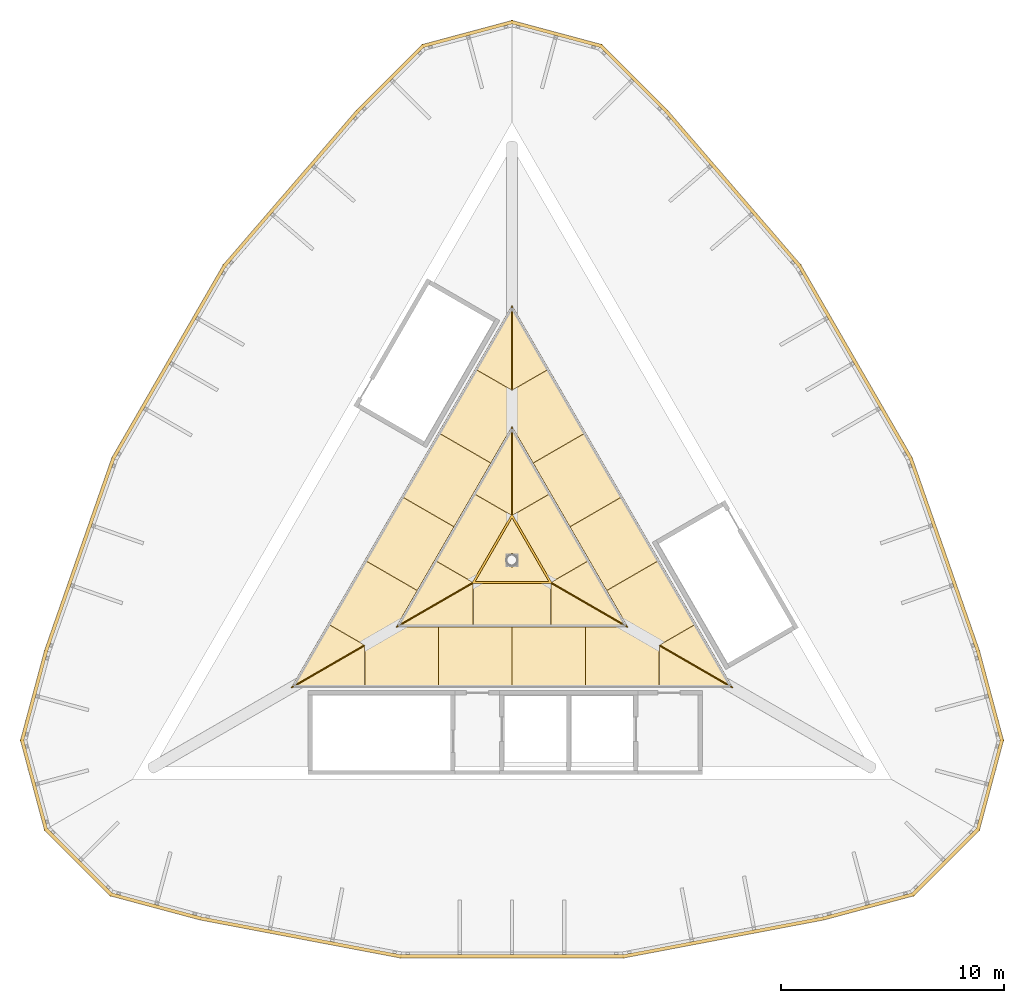
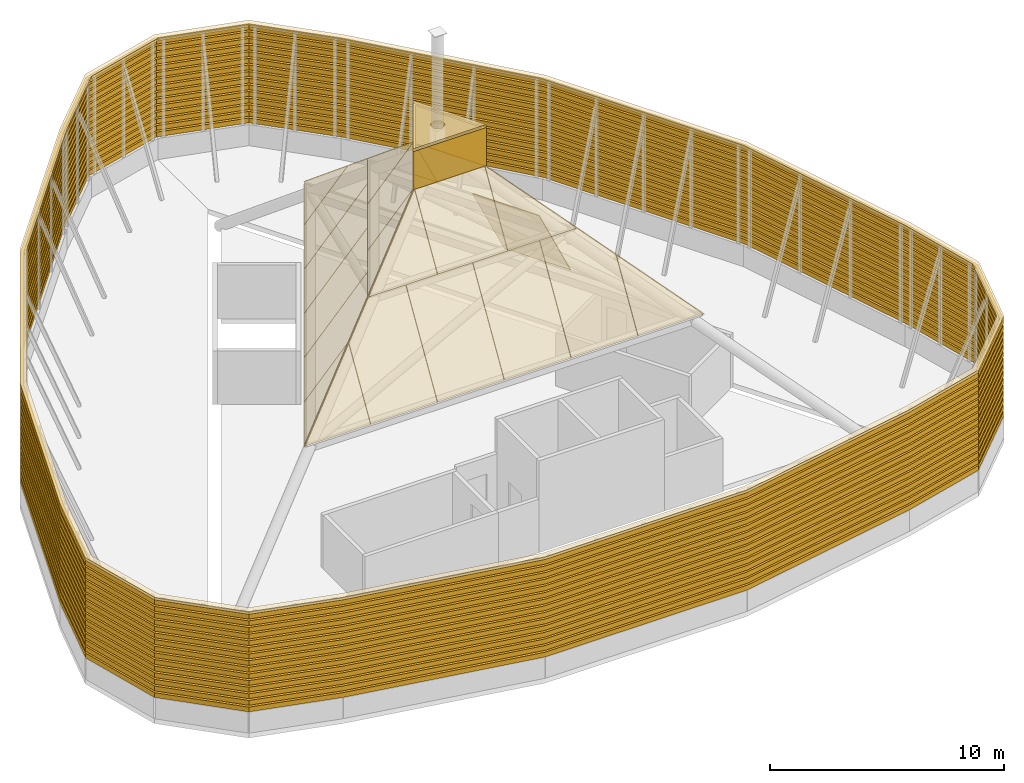
# One storey, part 6 of 6: 45 coverings.
"""IFC4 building model written with IfcOpenShell, lengths in metres."""

from ifc_helpers import new_model, si_unit, direction, frame, origin, place, context, subcontext, project, spatial, polyline, outline, extrude, material, layer, layer_set, type_object, element, save


model = new_model("IFC4")

# Units and contexts
model_context = context("Model", 3, precision=1e-05, world=origin(), true_north=direction((0.0, 1.0)))
body_context = subcontext(model_context, "Body", "Model", "MODEL_VIEW")
ifc_project = project(units=[si_unit("LENGTHUNIT", "METRE"), si_unit("AREAUNIT", "SQUARE_METRE"), si_unit("VOLUMEUNIT", "CUBIC_METRE"), si_unit("PLANEANGLEUNIT", "RADIAN"), si_unit("MASSUNIT", "GRAM", prefix="KILO")], contexts=[model_context])

# Site, building, storey
site_placement = place(None, origin())
site = spatial("IfcSite", under=ifc_project, at=site_placement, CompositionType="ELEMENT")
building_placement = place(site_placement, origin())
building = spatial("IfcBuilding", under=site, at=building_placement, Name="Trikona Tower", CompositionType="ELEMENT")
storey_placement = place(building_placement, frame((0.0, 0.0, 303.800048828125)))
storey = spatial("IfcBuildingStorey", under=building, at=storey_placement, Name="RF", CompositionType="ELEMENT", Elevation=303.800048828125)

# Coverings
ifc_material_1 = material(Name="Aluminium plate on a fabricated steel frame, pale anodised", Category="steel")
covering_type_1 = type_object("IfcCoveringType", Name="Crown cap collar 2000", PredefinedType="CLADDING", material=ifc_material_1)
covering_1_placement = place(storey_placement, frame((0.0, 0.0, 14.199951171875)))
element("IfcCovering", 1, at=covering_1_placement, inside=storey, type_object=covering_type_1, Name="Crown cap collar", PredefinedType="CLADDING", context=body_context, shape_type="SweptSolid", body=[
    extrude(outline(polyline([(1.812255859375, -1.04638671875), (0.0, 2.092529296875), (-1.812255859375, -1.04638671875), (1.812255859375, -1.04638671875)]), holes=[polyline([(1.6455078125, -0.949951171875), (0.0, 1.89990234375), (-1.6455078125, -0.949951171875), (1.6455078125, -0.949951171875)])]), origin(), (0.0, 0.0, 1.0), 2.0),
])
ifc_material_2 = material(Name="Aluminium plate cladding panel, pale anodised", Category="aluminium")
ifc_layer_1 = layer(ifc_material_2, 0.0400390625)
ifc_layer_set_1 = layer_set([ifc_layer_1], Name="Crown cap panel 40")
covering_type_2 = type_object("IfcCoveringType", Name="Crown cap panel 40", PredefinedType="CLADDING", material=ifc_layer_set_1)
covering_2_placement = place(storey_placement, frame((9.91015625, -5.7216796875, 6.454833984375), z_axis=(0.741426427318, 0.428026281218, 0.516798176719), x_axis=(-0.499968053156, 0.866043847518, 0.0)))
element("IfcCovering", 2, at=covering_2_placement, inside=storey, type_object=covering_type_2, Name="Crown cap panel 1A-1", PredefinedType="CLADDING", context=body_context, shape_type="SweptSolid", body=[
    extrude(outline(polyline([(0.0, 0.0), (3.2985506003111134, 1.1102230246251565e-16), (3.2982691427682354, 3.685034919368033), (0.0, 0.0)])), origin(), (0.0, 0.0, -1.0), 0.0400390625),
])
covering_3_placement = place(storey_placement, frame((8.255859375, -2.8564453125, 6.454833984375), z_axis=(0.741415320816, 0.428075214626, 0.516773579706), x_axis=(-0.500017974736, 0.866015025813, 2.746093e-06)))
element("IfcCovering", 3, at=covering_3_placement, inside=storey, type_object=covering_type_2, Name="Crown cap panel 1A-2", PredefinedType="CLADDING", context=body_context, shape_type="SweptSolid", body=[
    extrude(outline(polyline([(0.0, 0.0), (3.293312688266176, -1.1102230246251565e-16), (3.293332760039564, 5.2562224543319465), (1.3966972845653314, 5.256292339385443), (-4.721924386073969e-05, 3.696065635864368), (0.0, 0.0)])), origin(), (0.0, 0.0, -1.0), 0.0400390625),
])
covering_4_placement = place(storey_placement, frame((6.604248046875, 0.00439453125, 6.454833984375), z_axis=(0.741405965936, 0.428057628096, 0.516801568016), x_axis=(-0.500010151145, 0.8660195429, 8.199798e-06)))
element("IfcCovering", 4, at=covering_4_placement, inside=storey, type_object=covering_type_2, Name="Crown cap panel 1A-3", PredefinedType="CLADDING", context=body_context, shape_type="SweptSolid", body=[
    extrude(outline(polyline([(0.0, 0.0), (3.2933126878981387, -1.1102230246251565e-16), (3.2934548358369526, 5.256331716299112), (-6.928261365141282e-05, 5.256394805193037), (0.0, 0.0)])), origin(), (0.0, 0.0, -1.0), 0.0400390625),
])
covering_5_placement = place(storey_placement, frame((4.952392578125, 2.864990234375, 6.454833984375), z_axis=(0.741439793665, 0.428027106768, 0.516778316342), x_axis=(-0.499954591782, 0.866051618528, -1.4201868e-05)))
element("IfcCovering", 5, at=covering_5_placement, inside=storey, type_object=covering_type_2, Name="Crown cap panel 1A-4", PredefinedType="CLADDING", context=body_context, shape_type="SweptSolid", body=[
    extrude(outline(polyline([(0.0, 0.0), (3.29340205718667, 1.1102230246251565e-16), (3.2932691284046345, 5.256331716020849), (-0.00025498800854502313, 5.256222447764971), (0.0, 0.0)])), origin(), (0.0, 0.0, -1.0), 0.0400390625),
])
covering_6_placement = place(storey_placement, frame((3.30078125, 5.725830078125, 6.454833984375), z_axis=(0.741434550992, 0.428032868026, 0.516781066299), x_axis=(-0.499960234523, 0.866048360986, -1.8134961e-05)))
element("IfcCovering", 6, at=covering_6_placement, inside=storey, type_object=covering_type_2, Name="Crown cap panel 1A-5", PredefinedType="CLADDING", context=body_context, shape_type="SweptSolid", body=[
    extrude(outline(polyline([(0.0, 0.0), (3.2934020564024724, 0.0), (3.293283480651795, 3.696174896637079), (1.8967139882974844, 5.2562980087701305), (-0.00025498928986629466, 5.2562224474470955), (0.0, 0.0)])), origin(), (0.0, 0.0, -1.0), 0.0400390625),
])
covering_7_placement = place(storey_placement, frame((1.649169921875, 8.586669921875, 6.454833984375), z_axis=(0.741423278233, 0.428061046535, 0.516773899238), x_axis=(-0.500000102728, 0.866025344474, 0.0)))
element("IfcCovering", 7, at=covering_7_placement, inside=storey, type_object=covering_type_2, Name="Crown cap panel 1A-6", PredefinedType="CLADDING", context=body_context, shape_type="SweptSolid", body=[
    extrude(outline(polyline([(0.0, 0.0), (3.2983391660835024, 1.1102230246251565e-16), (4.5177771103964087e-07, 3.6849718398308036), (0.0, 0.0)])), origin(), (0.0, 0.0, -1.0), 0.0400390625),
])
covering_8_placement = place(storey_placement, frame((5.205078125, -3.005126953125, 10.954833984375), z_axis=(0.74141142171, 0.428053266826, 0.516797353435), x_axis=(-0.499996480963, 0.866027435475, -5.362093e-06)))
element("IfcCovering", 8, at=covering_8_placement, inside=storey, type_object=covering_type_2, Name="Crown cap panel 1B-1", PredefinedType="CLADDING", context=body_context, shape_type="SweptSolid", body=[
    extrude(outline(polyline([(0.0, 0.0), (3.4649214449072097, 0.0), (3.464897568477164, 3.7905692730016796), (3.392704574662664, 3.790547118854834), (0.0, 0.0)])), origin(), (0.0, 0.0, -1.0), 0.0400390625),
])
covering_9_placement = place(storey_placement, frame((3.467529296875, 0.00439453125, 10.954833984375), z_axis=(0.741414820356, 0.428062255536, 0.516785032234), x_axis=(-0.499998373289, 0.866026342859, -1.3517357e-05)))
element("IfcCovering", 9, at=covering_9_placement, inside=storey, type_object=covering_type_2, Name="Crown cap panel 1B-2", PredefinedType="CLADDING", context=body_context, shape_type="SweptSolid", body=[
    extrude(outline(polyline([(0.0, 0.0), (3.4601063977970012, 0.0), (3.4600603371818934, 3.7905692718870516), (-0.00016813053046176734, 3.790460005471578), (0.0, 0.0)])), origin(), (0.0, 0.0, -1.0), 0.0400390625),
])
covering_10_placement = place(storey_placement, frame((1.732666015625, 3.009521484375, 10.954833984375), z_axis=(0.741392303028, 0.428067200784, 0.516813239598), x_axis=(-0.500018479961, 0.866014734096, -5.12883e-06)))
element("IfcCovering", 10, at=covering_10_placement, inside=storey, type_object=covering_type_2, Name="Crown cap panel 1B-3", PredefinedType="CLADDING", context=body_context, shape_type="SweptSolid", body=[
    extrude(outline(polyline([(0.0, 0.0), (3.4652549472143495, -1.1102230246251565e-16), (0.07221963833278307, 3.790590465624695), (2.6643468823597544e-05, 3.7905692729977303), (0.0, 0.0)])), origin(), (0.0, 0.0, -1.0), 0.0400390625),
])
covering_11_placement = place(storey_placement, frame((0.0, 11.443115234375, 6.454833984375), z_axis=(-0.741423278233, 0.428061046535, 0.516773899238), x_axis=(-0.500000102728, -0.866025344474, 0.0)))
element("IfcCovering", 11, at=covering_11_placement, inside=storey, type_object=covering_type_2, Name="Crown cap panel 2A-1", PredefinedType="CLADDING", context=body_context, shape_type="SweptSolid", body=[
    extrude(outline(polyline([(0.0, 0.0), (3.2983391660835024, -1.1102230246251565e-16), (3.2983387143057916, 3.6849718398308036), (0.0, 0.0)])), origin(), (0.0, 0.0, -1.0), 0.0400390625),
])
covering_12_placement = place(storey_placement, frame((-1.654296875, 8.578125, 6.454833984375), z_axis=(-0.741434550992, 0.428032868026, 0.516781066299), x_axis=(-0.499960234523, -0.866048360986, 1.8134961e-05)))
element("IfcCovering", 12, at=covering_12_placement, inside=storey, type_object=covering_type_2, Name="Crown cap panel 2A-2", PredefinedType="CLADDING", context=body_context, shape_type="SweptSolid", body=[
    extrude(outline(polyline([(0.0, 0.0), (3.2934020564024724, 0.0), (3.2936570456923393, 5.2562224474470955), (1.396688068104988, 5.2562980087701305), (0.00011857575067755618, 3.696174896637079), (0.0, 0.0)])), origin(), (0.0, 0.0, -1.0), 0.0400390625),
])
covering_13_placement = place(storey_placement, frame((-3.305908203125, 5.71728515625, 6.454833984375), z_axis=(-0.741439793665, 0.428027106768, 0.516778316342), x_axis=(-0.499954591782, -0.866051618528, 1.4201868e-05)))
element("IfcCovering", 13, at=covering_13_placement, inside=storey, type_object=covering_type_2, Name="Crown cap panel 2A-3", PredefinedType="CLADDING", context=body_context, shape_type="SweptSolid", body=[
    extrude(outline(polyline([(0.0, 0.0), (3.29340205718667, -1.1102230246251565e-16), (3.2936570451952156, 5.256222447764971), (0.00013292878203581516, 5.256331716020848), (0.0, 0.0)])), origin(), (0.0, 0.0, -1.0), 0.0400390625),
])
covering_14_placement = place(storey_placement, frame((-4.95751953125, 2.8564453125, 6.454833984375), z_axis=(-0.741405965936, 0.428057628096, 0.516801568016), x_axis=(-0.500010151145, -0.8660195429, -8.199798e-06)))
element("IfcCovering", 14, at=covering_14_placement, inside=storey, type_object=covering_type_2, Name="Crown cap panel 2A-4", PredefinedType="CLADDING", context=body_context, shape_type="SweptSolid", body=[
    extrude(outline(polyline([(0.0, 0.0), (3.2933126878981387, 1.1102230246251565e-16), (3.2933819705117897, 5.256394805193037), (-0.00014214793881422842, 5.256331716299113), (0.0, 0.0)])), origin(), (0.0, 0.0, -1.0), 0.0400390625),
])
covering_15_placement = place(storey_placement, frame((-6.609130859375, -0.00439453125, 6.454833984375), z_axis=(-0.741415320816, 0.428075214626, 0.516773579706), x_axis=(-0.500017974736, -0.866015025813, -2.746093e-06)))
element("IfcCovering", 15, at=covering_15_placement, inside=storey, type_object=covering_type_2, Name="Crown cap panel 2A-5", PredefinedType="CLADDING", context=body_context, shape_type="SweptSolid", body=[
    extrude(outline(polyline([(0.0, 0.0), (3.293312688266176, 1.1102230246251565e-16), (3.2933599075100366, 3.696065635864368), (1.8966154037008447, 5.256292339385443), (-2.0071773387635385e-05, 5.2562224543319465), (0.0, 0.0)])), origin(), (0.0, 0.0, -1.0), 0.0400390625),
])
covering_16_placement = place(storey_placement, frame((-8.260986328125, -2.864990234375, 6.454833984375), z_axis=(-0.741426427318, 0.428026281218, 0.516798176719), x_axis=(-0.499968053156, -0.866043847518, 0.0)))
element("IfcCovering", 16, at=covering_16_placement, inside=storey, type_object=covering_type_2, Name="Crown cap panel 2A-6", PredefinedType="CLADDING", context=body_context, shape_type="SweptSolid", body=[
    extrude(outline(polyline([(0.0, 0.0), (3.2985506003111134, -1.1102230246251565e-16), (0.0002814575428776722, 3.685034919368033), (0.0, 0.0)])), origin(), (0.0, 0.0, -1.0), 0.0400390625),
])
covering_17_placement = place(storey_placement, frame((0.0, 6.010498046875, 10.954833984375), z_axis=(-0.741392303028, 0.428067200784, 0.516813239598), x_axis=(-0.500018479961, -0.866014734096, 5.12883e-06)))
element("IfcCovering", 17, at=covering_17_placement, inside=storey, type_object=covering_type_2, Name="Crown cap panel 2B-1", PredefinedType="CLADDING", context=body_context, shape_type="SweptSolid", body=[
    extrude(outline(polyline([(0.0, 0.0), (3.4652549472143495, 1.1102230246251565e-16), (3.4652283037455263, 3.7905692729977307), (3.3930353088815672, 3.790590465624695), (0.0, 0.0)])), origin(), (0.0, 0.0, -1.0), 0.0400390625),
])
covering_18_placement = place(storey_placement, frame((-1.737548828125, 3.0009765625, 10.954833984375), z_axis=(-0.741414820356, 0.428062255536, 0.516785032234), x_axis=(-0.499998373289, -0.866026342859, 1.3517357e-05)))
element("IfcCovering", 18, at=covering_18_placement, inside=storey, type_object=covering_type_2, Name="Crown cap panel 2B-2", PredefinedType="CLADDING", context=body_context, shape_type="SweptSolid", body=[
    extrude(outline(polyline([(0.0, 0.0), (3.4601063977970012, 0.0), (3.4602745283274627, 3.790460005471578), (4.606061510808318e-05, 3.7905692718870516), (0.0, 0.0)])), origin(), (0.0, 0.0, -1.0), 0.0400390625),
])
covering_19_placement = place(storey_placement, frame((-3.47265625, -0.00439453125, 10.954833984375), z_axis=(-0.74141142171, 0.428053266826, 0.516797353435), x_axis=(-0.499996480963, -0.866027435475, 5.362093e-06)))
element("IfcCovering", 19, at=covering_19_placement, inside=storey, type_object=covering_type_2, Name="Crown cap panel 2B-3", PredefinedType="CLADDING", context=body_context, shape_type="SweptSolid", body=[
    extrude(outline(polyline([(0.0, 0.0), (3.4649214449072097, 0.0), (0.07221687024454602, 3.7905471188548336), (2.3876430046072906e-05, 3.7905692730016796), (0.0, 0.0)])), origin(), (0.0, 0.0, -1.0), 0.0400390625),
])
covering_20_placement = place(storey_placement, frame((-9.91015625, -5.7216796875, 6.454833984375), z_axis=(0.0, -0.856121964148, 0.516773821418), x_axis=(1.0, 0.0, 0.0)))
element("IfcCovering", 20, at=covering_20_placement, inside=storey, type_object=covering_type_2, Name="Crown cap panel 3A-1", PredefinedType="CLADDING", context=body_context, shape_type="SweptSolid", body=[
    extrude(outline(polyline([(0.0, 0.0), (3.29833984375, 0.0), (3.29833984375, 3.6849716376425614), (0.0, 0.0)])), origin(), (0.0, 0.0, -1.0), 0.0400390625),
])
covering_21_placement = place(storey_placement, frame((-6.601806640625, -5.7216796875, 6.454833984375), z_axis=(9.330859e-06, -0.856101786243, 0.516807247921), x_axis=(0.999999999956, 7.988165e-06, -4.822256e-06)))
element("IfcCovering", 21, at=covering_21_placement, inside=storey, type_object=covering_type_2, Name="Crown cap panel 3A-2", PredefinedType="CLADDING", context=body_context, shape_type="SweptSolid", body=[
    extrude(outline(polyline([(0.0, 0.0), (3.293457031106628, 2.789666615835086e-21), (3.2934570312282343, 5.256392180809042), (1.3967285156858031, 5.256392180809042), (-4.518831723469407e-10, 3.6961511620836314), (0.0, 0.0)])), origin(), (0.0, 0.0, -1.0), 0.0400390625),
])
for number, where, z_axis, x_axis, name in (
    (22, (-3.29833984375, -5.7216796875, 6.454833984375), (0.0, -0.856100504908, 0.516809370557), (1.0, 0.0, 0.0), "Crown cap panel 3A-3"),
    (23, (0.0048828125, -5.7216796875, 6.454833984375), (0.0, -0.856100504908, 0.516809370557), (1.0, 0.0, 0.0), "Crown cap panel 3A-4"),
):
    element("IfcCovering", number, at=place(storey_placement, frame(where, z_axis=z_axis, x_axis=x_axis)), inside=storey, type_object=covering_type_2, Name=name, PredefinedType="CLADDING", context=body_context, shape_type="SweptSolid", body=[
        extrude(outline(polyline([(0.0, 0.0), (3.29345703125, 0.0), (3.29345703125, 5.256392180825198), (0.0, 5.256392180825198), (0.0, 0.0)])), origin(), (0.0, 0.0, -1.0), 0.0400390625),
    ])
covering_22_placement = place(storey_placement, frame((3.308349609375, -5.7216796875, 6.454833984375), z_axis=(-9.330859e-06, -0.856101786243, 0.516807247921), x_axis=(0.999999999956, -7.988165e-06, 4.822256e-06)))
element("IfcCovering", 24, at=covering_22_placement, inside=storey, type_object=covering_type_2, Name="Crown cap panel 3A-5", PredefinedType="CLADDING", context=body_context, shape_type="SweptSolid", body=[
    extrude(outline(polyline([(0.0, 0.0), (3.293457031106628, -2.789666615835086e-21), (3.293457031558511, 3.6961511620836314), (1.8967285154208249, 5.256392180809042), (-1.2160607878680218e-10, 5.256392180809042), (0.0, 0.0)])), origin(), (0.0, 0.0, -1.0), 0.0400390625),
])
covering_23_placement = place(storey_placement, frame((6.61181640625, -5.7216796875, 6.454833984375), z_axis=(0.0, -0.856121964148, 0.516773821418), x_axis=(1.0, 0.0, 0.0)))
element("IfcCovering", 25, at=covering_23_placement, inside=storey, type_object=covering_type_2, Name="Crown cap panel 3A-6", PredefinedType="CLADDING", context=body_context, shape_type="SweptSolid", body=[
    extrude(outline(polyline([(0.0, 0.0), (3.29833984375, 0.0), (0.0, 3.6849716376425614), (0.0, 0.0)])), origin(), (0.0, 0.0, -1.0), 0.0400390625),
])
covering_24_placement = place(storey_placement, frame((-5.205078125, -3.005126953125, 10.954833984375), z_axis=(0.0, -0.85613165384, 0.516757768489), x_axis=(1.0, 0.0, 0.0)))
element("IfcCovering", 26, at=covering_24_placement, inside=storey, type_object=covering_type_2, Name="Crown cap panel 3B-1", PredefinedType="CLADDING", context=body_context, shape_type="SweptSolid", body=[
    extrude(outline(polyline([(0.0, 0.0), (3.465087890625, 0.0), (3.465087890625, 3.790441777203198), (3.392822265625, 3.790441777203198), (0.0, 0.0)])), origin(), (0.0, 0.0, -1.0), 0.0400390625),
])
covering_25_placement = place(storey_placement, frame((-1.72998046875, -3.005126953125, 10.954833984375), z_axis=(0.0, -0.85613165384, 0.516757768489), x_axis=(1.0, 0.0, 0.0)))
element("IfcCovering", 27, at=covering_25_placement, inside=storey, type_object=covering_type_2, Name="Crown cap panel 3B-2", PredefinedType="CLADDING", context=body_context, shape_type="SweptSolid", body=[
    extrude(outline(polyline([(0.0, 0.0), (3.4599609375, 0.0), (3.4599609375, 3.790441777203198), (0.0, 3.790441777203198), (0.0, 0.0)])), origin(), (0.0, 0.0, -1.0), 0.0400390625),
])
covering_26_placement = place(storey_placement, frame((1.739990234375, -3.005126953125, 10.954833984375), z_axis=(0.0, -0.85613165384, 0.516757768489), x_axis=(1.0, 0.0, 0.0)))
element("IfcCovering", 28, at=covering_26_placement, inside=storey, type_object=covering_type_2, Name="Crown cap panel 3B-3", PredefinedType="CLADDING", context=body_context, shape_type="SweptSolid", body=[
    extrude(outline(polyline([(0.0, 0.0), (3.465087890625, 0.0), (0.072265625, 3.790441777203198), (0.0, 3.790441777203198), (0.0, 0.0)])), origin(), (0.0, 0.0, -1.0), 0.0400390625),
])
ifc_material_3 = material(Name="Aluminium plate on a fabricated steel frame, pale anodised", Category="steel")
ifc_layer_2 = layer(ifc_material_3, 0.14990234375)
ifc_layer_set_2 = layer_set([ifc_layer_2], Name="Crown cap plate 150")
covering_type_3 = type_object("IfcCoveringType", Name="Crown cap plate 150", PredefinedType="CLADDING", material=ifc_layer_set_2)
covering_27_placement = place(storey_placement, frame((0.0, 0.0, 16.199951171875)))
element("IfcCovering", 29, at=covering_27_placement, inside=storey, type_object=covering_type_3, Name="Crown cap plate", PredefinedType="CLADDING", context=body_context, shape_type="SweptSolid", body=[
    extrude(outline(polyline([(1.812255859375, -1.04638671875), (0.0, 2.092529296875), (-1.812255859375, -1.04638671875), (1.812255859375, -1.04638671875)]), holes=[polyline([(0.277099609375, 0.159912109375), (0.0, 0.320068359375), (-0.277099609375, 0.159912109375), (-0.277099609375, -0.159912109375), (0.0, -0.320068359375), (0.277099609375, -0.159912109375), (0.277099609375, 0.159912109375)])]), origin(), (0.0, 0.0, 1.0), 0.14990234375),
])
ifc_material_4 = material(Name="Aluminium coping, pale anodised", Category="aluminium")
ifc_layer_3 = layer(ifc_material_4, 0.14990234375)
ifc_layer_set_3 = layer_set([ifc_layer_3], Name="Crown screen coping 300")
covering_type_4 = type_object("IfcCoveringType", Name="Crown screen coping 300", PredefinedType="USERDEFINED", material=ifc_layer_set_3)
covering_28_placement = place(storey_placement, frame((0.0, 0.0, 6.199951171875)))
element("IfcCovering", 30, at=covering_28_placement, inside=storey, type_object=covering_type_4, Name="Crown screen coping", ObjectType="COPING", PredefinedType="USERDEFINED", context=body_context, shape_type="SweptSolid", body=[
    extrude(outline(polyline([(-14.0, -16.165771484375), (-18.04150390625, -15.0830078125), (-21.0, -12.12451171875), (-22.0830078125, -8.0830078125), (-21.0, -4.04150390625), (-17.98095703125, 4.60791015625), (-12.98095703125, 13.26806640625), (-7.0, 20.207275390625), (-4.04150390625, 23.165771484375), (0.0, 24.248779296875), (4.04150390625, 23.165771484375), (7.0, 20.207275390625), (12.98095703125, 13.26806640625), (17.98095703125, 4.60791015625), (21.0, -4.04150390625), (22.0830078125, -8.0830078125), (21.0, -12.12451171875), (18.04150390625, -15.0830078125), (14.0, -16.165771484375), (5.0, -17.875732421875), (-5.0, -17.875732421875), (-14.0, -16.165771484375)]), holes=[polyline([(-13.93310546875, -15.873046875), (-17.88623046875, -14.81396484375), (-20.73095703125, -11.968994140625), (-21.772216796875, -8.0830078125), (-20.713134765625, -4.1298828125), (-17.70703125, 4.482421875), (-12.735107421875, 13.093505859375), (-6.780029296875, 20.0029296875), (-3.88623046875, 22.896728515625), (0.0, 23.93798828125), (3.88623046875, 22.896728515625), (6.780029296875, 20.0029296875), (12.735107421875, 13.093505859375), (17.70703125, 4.482421875), (20.713134765625, -4.1298828125), (21.772216796875, -8.0830078125), (20.73095703125, -11.968994140625), (17.88623046875, -14.81396484375), (13.93310546875, -15.873046875), (4.9716796875, -17.57568359375), (-4.9716796875, -17.57568359375), (-13.93310546875, -15.873046875)])]), origin(), (0.0, 0.0, 1.0), 0.14990234375),
])
ifc_material_5 = material(Name="Aluminium louvre blade, pale anodised", Category="aluminium")
covering_type_5 = type_object("IfcCoveringType", Name="Crown screen louvre 150", PredefinedType="USERDEFINED", material=ifc_material_5)
for number, where, name in (
    (31, (0.0, 0.0, 1.099853515625), "Crown screen louvre course 1"),
    (32, (0.0, 0.0, 1.4462890625), "Crown screen louvre course 2"),
    (33, (0.0, 0.0, 1.79296875), "Crown screen louvre course 3"),
    (34, (0.0, 0.0, 2.13916015625), "Crown screen louvre course 4"),
    (35, (0.0, 0.0, 2.485595703125), "Crown screen louvre course 5"),
    (36, (0.0, 0.0, 2.83203125), "Crown screen louvre course 6"),
    (37, (0.0, 0.0, 3.178466796875), "Crown screen louvre course 7"),
    (38, (0.0, 0.0, 3.52490234375), "Crown screen louvre course 8"),
    (39, (0.0, 0.0, 3.871337890625), "Crown screen louvre course 9"),
    (40, (0.0, 0.0, 4.2177734375), "Crown screen louvre course 10"),
    (41, (0.0, 0.0, 4.564208984375), "Crown screen louvre course 11"),
    (42, (0.0, 0.0, 4.91064453125), "Crown screen louvre course 12"),
    (43, (0.0, 0.0, 5.257080078125), "Crown screen louvre course 13"),
    (44, (0.0, 0.0, 5.603515625), "Crown screen louvre course 14"),
    (45, (0.0, 0.0, 5.949951171875), "Crown screen louvre course 15"),
):
    element("IfcCovering", number, at=place(storey_placement, frame(where)), inside=storey, type_object=covering_type_5, Name=name, ObjectType="LOUVRE", PredefinedType="USERDEFINED", context=body_context, shape_type="SweptSolid", body=[
        extrude(outline(polyline([(-13.99560546875, -16.146240234375), (-18.031005859375, -15.06494140625), (-20.982177734375, -12.114013671875), (-22.062255859375, -8.0830078125), (-20.98095703125, -4.04736328125), (-17.962646484375, 4.599365234375), (-12.964599609375, 13.25634765625), (-6.9853515625, 20.193603515625), (-4.031005859375, 23.14794921875), (0.0, 24.22802734375), (4.031005859375, 23.14794921875), (6.9853515625, 20.193603515625), (12.964599609375, 13.25634765625), (17.962646484375, 4.599365234375), (20.98095703125, -4.04736328125), (22.062255859375, -8.0830078125), (20.982177734375, -12.114013671875), (18.031005859375, -15.06494140625), (13.99560546875, -16.146240234375), (4.998046875, -17.855712890625), (-4.998046875, -17.855712890625), (-13.99560546875, -16.146240234375)]), holes=[polyline([(-13.962158203125, -16.0), (-17.95361328125, -14.930419921875), (-20.84765625, -12.036376953125), (-21.906982421875, -8.0830078125), (-20.83740234375, -4.091552734375), (-17.82568359375, 4.53662109375), (-12.841796875, 13.169189453125), (-6.875244140625, 20.091552734375), (-3.95361328125, 23.013427734375), (0.0, 24.07275390625), (3.95361328125, 23.013427734375), (6.875244140625, 20.091552734375), (12.841796875, 13.169189453125), (17.82568359375, 4.53662109375), (20.83740234375, -4.091552734375), (21.906982421875, -8.0830078125), (20.84765625, -12.036376953125), (17.95361328125, -14.930419921875), (13.962158203125, -16.0), (4.98388671875, -17.705810546875), (-4.98388671875, -17.705810546875), (-13.962158203125, -16.0)])]), origin(), (0.0, 0.0, 1.0), 0.25),
    ])

save(model, "model.ifc")
